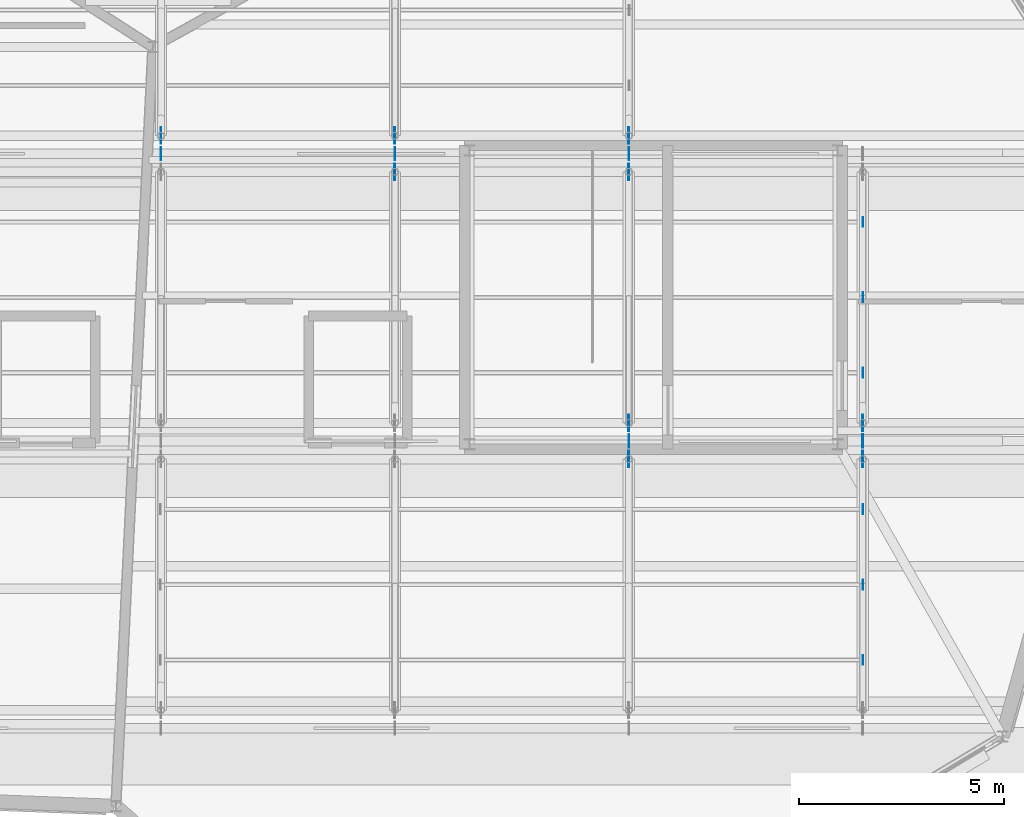
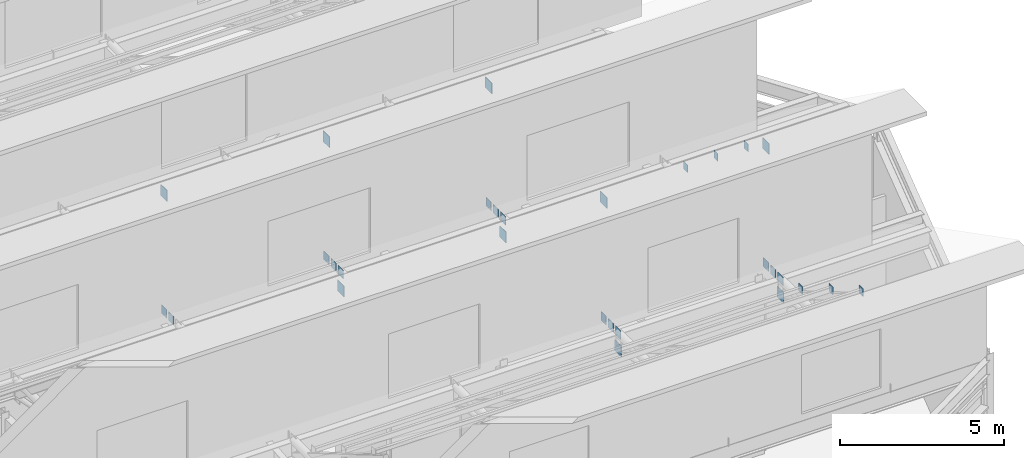
# One storey, part 47 of 55: 29 plates.
"""IFC4 building model written with IfcOpenShell, lengths in metres."""

from ifc_helpers import new_model, si_unit, direction, frame, origin, origin_2d, place, context, subcontext, project, spatial, rectangle, extrude, material, layer, layer_set, type_object, element, save


model = new_model("IFC4")

# Units and contexts
model_context = context("Model", 3, precision=1e-05, world=origin(), true_north=direction((0.0, 1.0)))
body_context = subcontext(model_context, "Body", "Model", "MODEL_VIEW")
ifc_project = project(units=[si_unit("LENGTHUNIT", "METRE"), si_unit("AREAUNIT", "SQUARE_METRE"), si_unit("VOLUMEUNIT", "CUBIC_METRE"), si_unit("PLANEANGLEUNIT", "RADIAN"), si_unit("MASSUNIT", "GRAM", prefix="KILO")], contexts=[model_context])

# Site, building, storey
site_placement = place(None, origin())
site = spatial("IfcSite", under=ifc_project, at=site_placement, CompositionType="ELEMENT")
building_placement = place(site_placement, origin())
building = spatial("IfcBuilding", under=site, at=building_placement, Name="Tameran Prism Museum", CompositionType="ELEMENT")
storey_placement = place(building_placement, frame((0.0, 0.0, 28.800048828125)))
storey = spatial("IfcBuildingStorey", under=building, at=storey_placement, Name="L05", CompositionType="ELEMENT", Elevation=28.800048828125)

# Plates
ifc_material_1 = material(Name="Steel Grade 350 (350 MPa)", Category="steel")
ifc_layer_1 = layer(ifc_material_1, 0.01611328125)
ifc_layer_set_1 = layer_set([ifc_layer_1])
plate_type_1 = type_object("IfcPlateType", Name="PL-CAP-16", PredefinedType="USERDEFINED", material=ifc_layer_set_1)
for number, where, z_axis, x_axis, name in (
    (1, (136.10791015625, 74.1640625, 8.77392578125), (0.0, 0.0, 1.0), (1.0, 0.0, 0.0), "Purlin End Cap Plate PR-001 E"),
    (2, (136.10791015625, 76.0, 7.72314453125), (0.0, 0.0, 1.0), (1.0, 0.0, 0.0), "Purlin End Cap Plate PR-002 E"),
    (3, (136.10791015625, 77.8359375, 6.61376953125), (0.0, 0.0, 1.0), (1.0, 0.0, 0.0), "Purlin End Cap Plate PR-003 E"),
):
    element("IfcPlate", number, at=place(storey_placement, frame(where, z_axis=z_axis, x_axis=x_axis)), inside=storey, type_object=plate_type_1, Name=name, ObjectType="GUSSET PLATE", PredefinedType="USERDEFINED", context=body_context, shape_type="SweptSolid", body=[
        extrude(rectangle(XDim=0.01611328125, YDim=0.239990234375, at=origin_2d()), origin(), (0.0, 0.0, 1.0), 0.280029296875),
    ])
for number, where, z_axis, x_axis, name in (
    (4, (130.39990234375, 79.06005859375, 6.22607421875), (0.0, 0.0, 1.0), (1.0, 0.0, 0.0), "Truss Node Gusset Plate GP-0016"),
    (5, (130.39990234375, 79.5, 6.22607421875), (0.0, 0.0, 1.0), (1.0, 0.0, 0.0), "Truss Node Gusset Plate GP-0018"),
    (6, (136.10009765625, 79.06005859375, 6.22607421875), (0.0, 0.0, 1.0), (1.0, 0.0, 0.0), "Truss Node Gusset Plate GP-0022"),
    (7, (136.10009765625, 79.5, 6.22607421875), (0.0, 0.0, 1.0), (1.0, 0.0, 0.0), "Truss Node Gusset Plate GP-0024"),
):
    element("IfcPlate", number, at=place(storey_placement, frame(where, z_axis=z_axis, x_axis=x_axis)), inside=storey, type_object=plate_type_1, Name=name, ObjectType="GUSSET PLATE", PredefinedType="USERDEFINED", context=body_context, shape_type="SweptSolid", body=[
        extrude(rectangle(XDim=0.01611328125, YDim=0.320068359375, at=origin_2d()), origin(), (0.0, 0.0, 1.0), 0.320068359375),
    ])
for number, where, z_axis, x_axis, name in (
    (8, (136.10791015625, 81.1640625, 9.89892578125), (0.0, 0.0, 1.0), (1.0, 0.0, 0.0), "Purlin End Cap Plate PR-007 E"),
    (9, (136.10791015625, 83.0, 8.43115234375), (0.0, 0.0, 1.0), (1.0, 0.0, 0.0), "Purlin End Cap Plate PR-008 E"),
    (10, (136.10791015625, 84.8359375, 6.89892578125), (0.0, 0.0, 1.0), (1.0, 0.0, 0.0), "Purlin End Cap Plate PR-009 E"),
):
    element("IfcPlate", number, at=place(storey_placement, frame(where, z_axis=z_axis, x_axis=x_axis)), inside=storey, type_object=plate_type_1, Name=name, ObjectType="GUSSET PLATE", PredefinedType="USERDEFINED", context=body_context, shape_type="SweptSolid", body=[
        extrude(rectangle(XDim=0.01611328125, YDim=0.239990234375, at=origin_2d()), origin(), (0.0, 0.0, 1.0), 0.280029296875),
    ])
for number, where, z_axis, x_axis, name in (
    (11, (119.0, 86.5, 6.22607421875), (0.0, 0.0, 1.0), (1.0, 0.0, 0.0), "Truss Node Gusset Plate GP-0047"),
    (12, (124.699951171875, 86.06005859375, 6.22607421875), (0.0, 0.0, 1.0), (1.0, 0.0, 0.0), "Truss Node Gusset Plate GP-0051"),
    (13, (124.699951171875, 86.5, 6.22607421875), (0.0, 0.0, 1.0), (1.0, 0.0, 0.0), "Truss Node Gusset Plate GP-0052"),
    (14, (130.39990234375, 79.93994140625, 6.22607421875), (0.0, 0.0, 1.0), (1.0, 0.0, 0.0), "Truss Node Gusset Plate GP-0055"),
    (15, (130.39990234375, 86.06005859375, 6.22607421875), (0.0, 0.0, 1.0), (1.0, 0.0, 0.0), "Truss Node Gusset Plate GP-0056"),
    (16, (130.39990234375, 86.5, 6.22607421875), (0.0, 0.0, 1.0), (1.0, 0.0, 0.0), "Truss Node Gusset Plate GP-0057"),
    (17, (136.10009765625, 79.93994140625, 6.22607421875), (0.0, 0.0, 1.0), (1.0, 0.0, 0.0), "Truss Node Gusset Plate GP-0060"),
    (18, (119.0, 86.93994140625, 6.22607421875), (0.0, 0.0, 1.0), (1.0, 0.0, 0.0), "Truss Node Gusset Plate GP-0075"),
    (19, (124.699951171875, 86.93994140625, 6.22607421875), (0.0, 0.0, 1.0), (1.0, 0.0, 0.0), "Truss Node Gusset Plate GP-0080"),
    (20, (130.39990234375, 86.93994140625, 6.22607421875), (0.0, 0.0, 1.0), (1.0, 0.0, 0.0), "Truss Node Gusset Plate GP-0085"),
):
    element("IfcPlate", number, at=place(storey_placement, frame(where, z_axis=z_axis, x_axis=x_axis)), inside=storey, type_object=plate_type_1, Name=name, ObjectType="GUSSET PLATE", PredefinedType="USERDEFINED", context=body_context, shape_type="SweptSolid", body=[
        extrude(rectangle(XDim=0.01611328125, YDim=0.320068359375, at=origin_2d()), origin(), (0.0, 0.0, 1.0), 0.320068359375),
    ])
ifc_material_2 = material(Name="Steel Grade 350 (350 MPa)", Category="steel")
ifc_layer_2 = layer(ifc_material_2, 0.02001953125)
ifc_layer_set_2 = layer_set([ifc_layer_2])
plate_type_2 = type_object("IfcPlateType", Name="PL-GUS-20", PredefinedType="USERDEFINED", material=ifc_layer_set_2)
for number, where, z_axis, x_axis, name in (
    (21, (130.39990234375, 79.06005859375, 5.60888671875), (0.0, 0.0, 1.0), (1.0, 0.0, 0.0), "Truss Node Gusset Plate GP-0014"),
    (22, (136.10009765625, 79.06005859375, 5.60888671875), (0.0, 0.0, 1.0), (1.0, 0.0, 0.0), "Truss Node Gusset Plate GP-0020"),
    (23, (124.699951171875, 86.06005859375, 5.587890625), (0.0, 0.0, 1.0), (1.0, 0.0, 0.0), "Truss Node Gusset Plate GP-0049"),
    (24, (130.39990234375, 79.93994140625, 10.587890625), (0.0, 0.0, 1.0), (1.0, 0.0, 0.0), "Truss Node Gusset Plate GP-0053"),
    (25, (130.39990234375, 86.06005859375, 5.587890625), (0.0, 0.0, 1.0), (1.0, 0.0, 0.0), "Truss Node Gusset Plate GP-0054"),
    (26, (136.10009765625, 79.93994140625, 10.587890625), (0.0, 0.0, 1.0), (1.0, 0.0, 0.0), "Truss Node Gusset Plate GP-0058"),
    (27, (119.0, 86.93994140625, 10.587890625), (0.0, 0.0, 1.0), (1.0, 0.0, 0.0), "Truss Node Gusset Plate GP-0073"),
    (28, (124.699951171875, 86.93994140625, 10.587890625), (0.0, 0.0, 1.0), (1.0, 0.0, 0.0), "Truss Node Gusset Plate GP-0078"),
    (29, (130.39990234375, 86.93994140625, 10.587890625), (0.0, 0.0, 1.0), (1.0, 0.0, 0.0), "Truss Node Gusset Plate GP-0083"),
):
    element("IfcPlate", number, at=place(storey_placement, frame(where, z_axis=z_axis, x_axis=x_axis)), inside=storey, type_object=plate_type_2, Name=name, ObjectType="GUSSET PLATE", PredefinedType="USERDEFINED", context=body_context, shape_type="SweptSolid", body=[
        extrude(rectangle(XDim=0.02001953125, YDim=0.39990234375, at=origin_2d()), origin(), (0.0, 0.0, 1.0), 0.39990234375),
    ])

save(model, "model.ifc")
